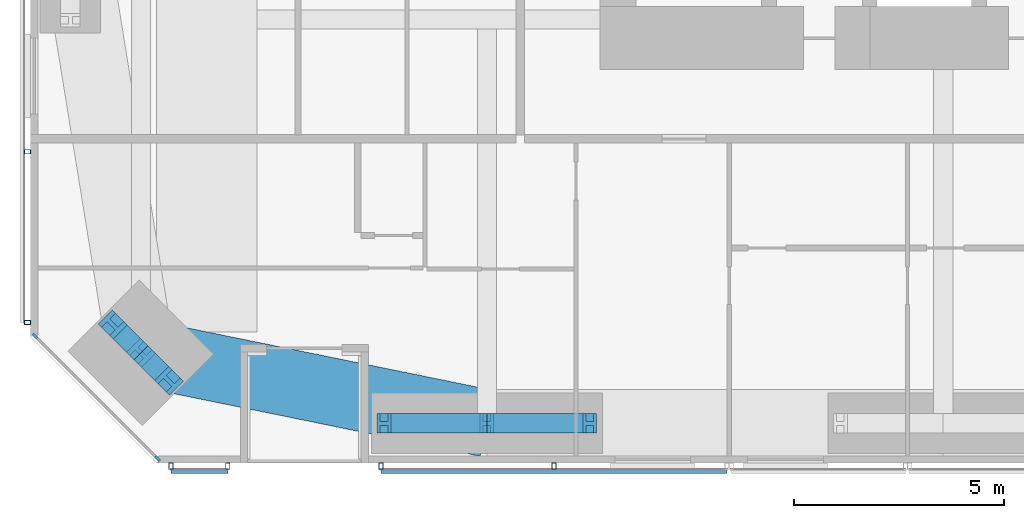
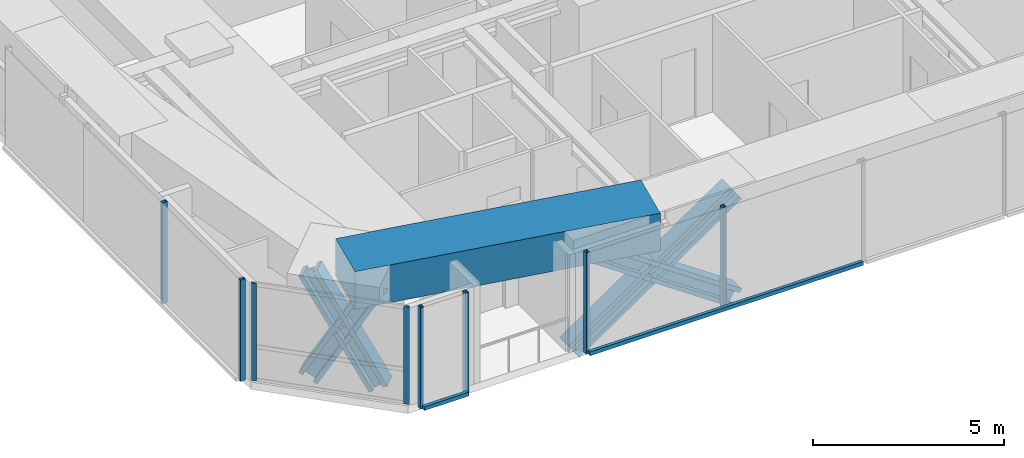
# One storey, part 2 of 23: 18 members, 1 beam, 4 elements without a shape of their own.
"""IFC4 building model written with IfcOpenShell, lengths in metres."""

from ifc_helpers import new_model, si_unit, direction, frame, origin, origin_2d, place, context, subcontext, project, spatial, rectangle, hollow_rectangle, i_section, extrude, material, material_profile, profile_set, type_object, element, aggregate, save


model = new_model("IFC4")

# Units and contexts
model_context = context("Model", 3, precision=1e-05, world=origin(), true_north=direction((0.0, 1.0)))
body_context = subcontext(model_context, "Body", "Model", "MODEL_VIEW")
ifc_project = project(units=[si_unit("LENGTHUNIT", "METRE"), si_unit("AREAUNIT", "SQUARE_METRE"), si_unit("VOLUMEUNIT", "CUBIC_METRE"), si_unit("PLANEANGLEUNIT", "RADIAN"), si_unit("MASSUNIT", "GRAM", prefix="KILO")], contexts=[model_context])

# Site, building, storey
site_placement = place(None, origin())
site = spatial("IfcSite", under=ifc_project, at=site_placement, CompositionType="ELEMENT")
building_placement = place(site_placement, origin())
building = spatial("IfcBuilding", under=site, at=building_placement, Name="Jalousie Tower", CompositionType="ELEMENT")
storey_placement = place(building_placement, frame((0.0, 0.0, 114.89990234375)))
storey = spatial("IfcBuildingStorey", under=building, at=storey_placement, Name="L31", CompositionType="ELEMENT", Elevation=114.89990234375)

# Curtain wall, members
ifc_material_1 = material(Name="Aluminium curtain wall", Category="aluminium")
curtain_wall_type_1 = type_object("IfcCurtainWallType", Name="CORNER WINDOW WALL", PredefinedType="USERDEFINED", material=ifc_material_1)
curtain_wall_1_placement = place(storey_placement, origin())
curtain_wall_1 = element("IfcCurtainWall", 1, at=curtain_wall_1_placement, inside=storey, type_object=curtain_wall_type_1, Name="Corner Window Wall L31 8", ObjectType="CORNER WINDOW WALL", PredefinedType="USERDEFINED")
ifc_material_2 = material(Name="Aluminium mullion", Category="aluminium")
ifc_material_profile_1 = material_profile(ifc_material_2, rectangle(XDim=0.06005859375, YDim=0.14990234375, at=origin_2d()), Name="MULLION 60x150")
ifc_profile_set_1 = profile_set([ifc_material_profile_1], Name="Aluminium mullion")
member_type_1 = type_object("IfcMemberType", Name="CORNER WINDOW WALL MULLION", PredefinedType="MULLION", material=ifc_profile_set_1)
member_1_placement = place(storey_placement, frame((6.108642578125, 3.030029296875, 0.0), z_axis=(0.0, 0.0, 1.0), x_axis=(0.707106781187, 0.707106781187, 0.0)))
member_1 = element("IfcMember", 2, at=member_1_placement, type_object=member_type_1, Name="CW-C mullion 1", PredefinedType="MULLION", context=body_context, shape_type="SweptSolid", body=[
    extrude(rectangle(XDim=0.06005859375, YDim=0.14990234375, at=origin_2d()), origin(), (0.0, 0.0, 1.0), 3.110107421875),
])
member_2_placement = place(storey_placement, frame((9.030029296875, 0.108642578125, 0.0), z_axis=(0.0, 0.0, 1.0), x_axis=(0.707106781187, 0.707106781187, 0.0)))
member_2 = element("IfcMember", 3, at=member_2_placement, type_object=member_type_1, Name="CW-C mullion 2", PredefinedType="MULLION", context=body_context, shape_type="SweptSolid", body=[
    extrude(rectangle(XDim=0.06005859375, YDim=0.14990234375, at=origin_2d()), origin(), (0.0, 0.0, 1.0), 3.110107421875),
])
aggregate(curtain_wall_1, [member_1, member_2])

# Members
ifc_material_3 = material(Name="Steel ASTM A992 Grade 50", Category="steel")
ifc_material_profile_2 = material_profile(ifc_material_3, i_section(OverallWidth=0.472412109375, OverallDepth=0.5791015625, WebThickness=0.094970703125, FlangeThickness=0.1298828125, at=origin_2d()), Name="W14X808")
ifc_profile_set_2 = profile_set([ifc_material_profile_2], Name="Steel ASTM A992 Grade 50")
member_type_2 = type_object("IfcMemberType", Name="PERIMETER BRACE W14X808", PredefinedType="BRACE", material=ifc_profile_set_2)
member_3_placement = place(storey_placement, frame((7.959716796875, 3.302978515625, -0.599853515625), z_axis=(0.348789058631, -0.348789058631, 0.869880672943), x_axis=(0.707106781187, 0.707106781187, 0.0)))
element("IfcMember", 4, at=member_3_placement, inside=storey, type_object=member_type_2, Name="Perimeter brace 01 L31 part 1", PredefinedType="BRACE", context=body_context, shape_type="SweptSolid", body=[
    extrude(i_section(OverallWidth=0.472412109375, OverallDepth=0.5791015625, WebThickness=0.094970703125, FlangeThickness=0.1298828125, at=origin_2d()), origin(), (0.0, 0.0, 1.0), 1.925537109375),
])
member_4_placement = place(storey_placement, frame((8.63134765625, 2.63134765625, 1.0751953125), z_axis=(0.348827529765, -0.348827529765, 0.869849819771), x_axis=(0.707106781187, 0.707106781187, 0.0)))
element("IfcMember", 5, at=member_4_placement, inside=storey, type_object=member_type_2, Name="Perimeter brace 01 L31 part 2", PredefinedType="BRACE", context=body_context, shape_type="SweptSolid", body=[
    extrude(i_section(OverallWidth=0.472412109375, OverallDepth=0.5791015625, WebThickness=0.094970703125, FlangeThickness=0.1298828125, at=origin_2d()), origin(), (0.0, 0.0, 1.0), 1.92529296875),
])
member_5_placement = place(storey_placement, frame((9.302978515625, 1.959716796875, -0.599853515625), z_axis=(-0.348789058631, 0.348789058631, 0.869880672943), x_axis=(-0.707106781187, -0.707106781187, 0.0)))
element("IfcMember", 6, at=member_5_placement, inside=storey, type_object=member_type_2, Name="Perimeter brace 01 L31 part 3", PredefinedType="BRACE", context=body_context, shape_type="SweptSolid", body=[
    extrude(i_section(OverallWidth=0.472412109375, OverallDepth=0.5791015625, WebThickness=0.094970703125, FlangeThickness=0.1298828125, at=origin_2d()), origin(), (0.0, 0.0, 1.0), 1.925537109375),
])
member_6_placement = place(storey_placement, frame((8.63134765625, 2.63134765625, 1.0751953125), z_axis=(-0.348827529765, 0.348827529765, 0.869849819771), x_axis=(-0.707106781187, -0.707106781187, 0.0)))
element("IfcMember", 7, at=member_6_placement, inside=storey, type_object=member_type_2, Name="Perimeter brace 01 L31 part 4", PredefinedType="BRACE", context=body_context, shape_type="SweptSolid", body=[
    extrude(i_section(OverallWidth=0.472412109375, OverallDepth=0.5791015625, WebThickness=0.094970703125, FlangeThickness=0.1298828125, at=origin_2d()), origin(), (0.0, 0.0, 1.0), 1.92529296875),
])
for number, where, z_axis, x_axis, name in (
    (8, (14.425048828125, 0.949951171875, -0.599853515625), (0.825500916831, 0.0, 0.564400776321), (0.0, 1.0, 0.0), "Perimeter brace 02 L31 part 1"),
    (9, (16.875, 0.949951171875, 1.0751953125), (0.825539243753, 0.0, 0.564344714713), (0.0, 1.0, 0.0), "Perimeter brace 02 L31 part 2"),
    (10, (19.324951171875, 0.949951171875, -0.599853515625), (-0.825500916831, 0.0, 0.564400776321), (0.0, -1.0, 0.0), "Perimeter brace 02 L31 part 3"),
    (11, (16.875, 0.949951171875, 1.0751953125), (-0.825539243753, 0.0, 0.564344714713), (0.0, -1.0, 0.0), "Perimeter brace 02 L31 part 4"),
):
    element("IfcMember", number, at=place(storey_placement, frame(where, z_axis=z_axis, x_axis=x_axis)), inside=storey, type_object=member_type_2, Name=name, PredefinedType="BRACE", context=body_context, shape_type="SweptSolid", body=[
        extrude(i_section(OverallWidth=0.472412109375, OverallDepth=0.5791015625, WebThickness=0.094970703125, FlangeThickness=0.1298828125, at=origin_2d()), origin(), (0.0, 0.0, 1.0), 2.9677734375),
    ])

# Beam
ifc_material_4 = material(Name="Concrete f'c 40 MPa", Category="concrete")
ifc_material_profile_3 = material_profile(ifc_material_4, rectangle(XDim=1.60009765625, YDim=1.199951171875, at=origin_2d()), Name="RC 1600x1200")
ifc_profile_set_3 = profile_set([ifc_material_profile_3], Name="Concrete f'c 40 MPa")
beam_type = type_object("IfcBeamType", Name="RC BEAM 1600x1200", PredefinedType="BEAM", material=ifc_profile_set_3)
beam_placement = place(storey_placement, frame((8.63134765625, 2.63134765625, 2.75), z_axis=(0.97982690954, -0.199848010602, 0.0), x_axis=(0.199848010602, 0.97982690954, 0.0)))
element("IfcBeam", 12, at=beam_placement, inside=storey, type_object=beam_type, Name="Edge band beam 01-02 under L32", PredefinedType="BEAM", context=body_context, shape_type="SweptSolid", body=[
    extrude(rectangle(XDim=1.60009765625, YDim=1.199951171875, at=origin_2d()), origin(), (0.0, 0.0, 1.0), 8.413330078125),
])

# Curtain wall, members
ifc_material_5 = material(Name="Perforated aluminium sheet", Category="aluminium")
curtain_wall_type_2 = type_object("IfcCurtainWallType", Name="SOLAR SCREEN SS-1", PredefinedType="USERDEFINED", material=ifc_material_5)
curtain_wall_2_placement = place(storey_placement, origin())
curtain_wall_2 = element("IfcCurtainWall", 13, at=curtain_wall_2_placement, inside=storey, type_object=curtain_wall_type_2, Name="Solar screen L31", ObjectType="SOLAR SCREEN SS-1", PredefinedType="USERDEFINED")
ifc_material_6 = material(Name="Steel ASTM A500 Grade C", Category="steel")
ifc_material_profile_4 = material_profile(ifc_material_6, hollow_rectangle(XDim=0.1015625, YDim=0.15234375, WallThickness=0.00634765625, at=origin_2d()), Name="HSS6X4X1/4")
ifc_profile_set_4 = profile_set([ifc_material_profile_4], Name="Steel ASTM A500 Grade C")
member_type_3 = type_object("IfcMemberType", Name="SOLAR SCREEN SS-1 MULLION", PredefinedType="MULLION", material=ifc_profile_set_4)
member_7_placement = place(storey_placement, frame((9.351318359375, -0.0712890625, -0.119873046875), z_axis=(0.0, 0.0, 1.0), x_axis=(1.0, 0.0, 0.0)))
member_7 = element("IfcMember", 14, at=member_7_placement, type_object=member_type_3, Name="SS1 post 1", PredefinedType="MULLION", context=body_context, shape_type="SweptSolid", body=[
    extrude(hollow_rectangle(XDim=0.1015625, YDim=0.15234375, WallThickness=0.00634765625, at=origin_2d()), origin(), (0.0, 0.0, 1.0), 3.22998046875),
])
member_8_placement = place(storey_placement, frame((10.701416015625, -0.0712890625, -0.119873046875), z_axis=(0.0, 0.0, 1.0), x_axis=(1.0, 0.0, 0.0)))
member_8 = element("IfcMember", 15, at=member_8_placement, type_object=member_type_3, Name="SS1 post 2", PredefinedType="MULLION", context=body_context, shape_type="SweptSolid", body=[
    extrude(hollow_rectangle(XDim=0.1015625, YDim=0.15234375, WallThickness=0.00634765625, at=origin_2d()), origin(), (0.0, 0.0, 1.0), 3.22998046875),
])

curtain_wall_3_placement = place(storey_placement, origin())
curtain_wall_3 = element("IfcCurtainWall", 16, at=curtain_wall_3_placement, inside=storey, type_object=curtain_wall_type_2, Name="Solar screen L31", ObjectType="SOLAR SCREEN SS-1", PredefinedType="USERDEFINED")
member_9_placement = place(storey_placement, frame((14.351318359375, -0.0712890625, -0.119873046875), z_axis=(0.0, 0.0, 1.0), x_axis=(1.0, 0.0, 0.0)))
member_9 = element("IfcMember", 17, at=member_9_placement, type_object=member_type_3, Name="SS1 post 1", PredefinedType="MULLION", context=body_context, shape_type="SweptSolid", body=[
    extrude(hollow_rectangle(XDim=0.1015625, YDim=0.15234375, WallThickness=0.00634765625, at=origin_2d()), origin(), (0.0, 0.0, 1.0), 3.22998046875),
])
member_10_placement = place(storey_placement, frame((18.4755859375, -0.0712890625, -0.119873046875), z_axis=(0.0, 0.0, 1.0), x_axis=(1.0, 0.0, 0.0)))
member_10 = element("IfcMember", 18, at=member_10_placement, type_object=member_type_3, Name="SS1 post 2", PredefinedType="MULLION", context=body_context, shape_type="SweptSolid", body=[
    extrude(hollow_rectangle(XDim=0.1015625, YDim=0.15234375, WallThickness=0.00634765625, at=origin_2d()), origin(), (0.0, 0.0, 1.0), 3.22998046875),
])

curtain_wall_4_placement = place(storey_placement, origin())
curtain_wall_4 = element("IfcCurtainWall", 19, at=curtain_wall_4_placement, inside=storey, type_object=curtain_wall_type_2, Name="Solar screen L31", ObjectType="SOLAR SCREEN SS-1", PredefinedType="USERDEFINED")
member_11_placement = place(storey_placement, frame((5.9287109375, 7.42041015625, -0.119873046875), z_axis=(0.0, 0.0, 1.0), x_axis=(0.0, -1.0, 0.0)))
member_11 = element("IfcMember", 20, at=member_11_placement, type_object=member_type_3, Name="SS1 post 3", PredefinedType="MULLION", context=body_context, shape_type="SweptSolid", body=[
    extrude(hollow_rectangle(XDim=0.1015625, YDim=0.15234375, WallThickness=0.00634765625, at=origin_2d()), origin(), (0.0, 0.0, 1.0), 3.22998046875),
])
member_12_placement = place(storey_placement, frame((5.9287109375, 3.351318359375, -0.119873046875), z_axis=(0.0, 0.0, 1.0), x_axis=(0.0, -1.0, 0.0)))
member_12 = element("IfcMember", 21, at=member_12_placement, type_object=member_type_3, Name="SS1 post 4", PredefinedType="MULLION", context=body_context, shape_type="SweptSolid", body=[
    extrude(hollow_rectangle(XDim=0.1015625, YDim=0.15234375, WallThickness=0.00634765625, at=origin_2d()), origin(), (0.0, 0.0, 1.0), 3.22998046875),
])
aggregate(curtain_wall_4, [member_11, member_12])

# Member
ifc_material_7 = material(Name="Extruded aluminium screen rail", Category="aluminium")
ifc_material_profile_5 = material_profile(ifc_material_7, rectangle(XDim=0.1015625, YDim=0.1201171875, at=origin_2d()), Name="RAIL 102x120")
ifc_profile_set_5 = profile_set([ifc_material_profile_5], Name="Extruded aluminium screen rail")
member_type_4 = type_object("IfcMemberType", Name="SOLAR SCREEN SS-1 TRANSOM", PredefinedType="USERDEFINED", material=ifc_profile_set_5)
member_13_placement = place(storey_placement, frame((9.351318359375, -0.1982421875, -0.059814453125), z_axis=(1.0, 0.0, 0.0), x_axis=(0.0, 1.0, 0.0)))
member_13 = element("IfcMember", 22, at=member_13_placement, type_object=member_type_4, Name="SS1 rail", ObjectType="TRANSOM", PredefinedType="USERDEFINED", context=body_context, shape_type="SweptSolid", body=[
    extrude(rectangle(XDim=0.1015625, YDim=0.1201171875, at=origin_2d()), origin(), (0.0, 0.0, 1.0), 1.35009765625),
])

aggregate(curtain_wall_2, [member_7, member_8, member_13])

member_14_placement = place(storey_placement, frame((14.351318359375, -0.1982421875, -0.059814453125), z_axis=(1.0, 0.0, 0.0), x_axis=(0.0, 1.0, 0.0)))
member_14 = element("IfcMember", 23, at=member_14_placement, type_object=member_type_4, Name="SS1 rail", ObjectType="TRANSOM", PredefinedType="USERDEFINED", context=body_context, shape_type="SweptSolid", body=[
    extrude(rectangle(XDim=0.1015625, YDim=0.1201171875, at=origin_2d()), origin(), (0.0, 0.0, 1.0), 8.248779296875),
])

aggregate(curtain_wall_3, [member_9, member_10, member_14])

save(model, "model.ifc")
